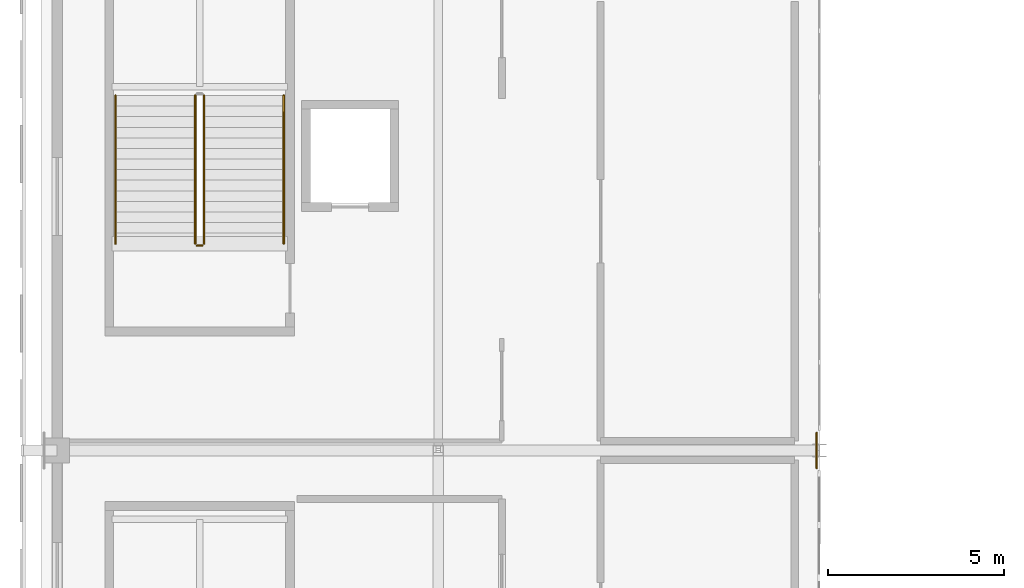
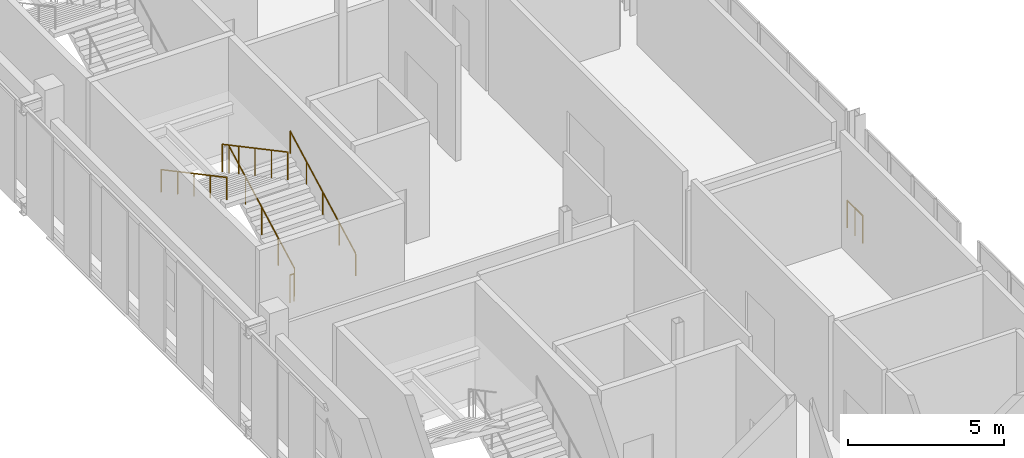
# One storey, part 44 of 51: 7 railings.
"""IFC4 building model written with IfcOpenShell, lengths in metres."""

from ifc_helpers import new_model, si_unit, direction, frame, origin, origin_2d, place, context, subcontext, project, spatial, circle, extrude, material, type_object, element, save


model = new_model("IFC4")

# Units and contexts
model_context = context("Model", 3, precision=1e-05, world=origin(), true_north=direction((0.0, 1.0)))
body_context = subcontext(model_context, "Body", "Model", "MODEL_VIEW")
ifc_project = project(units=[si_unit("LENGTHUNIT", "METRE"), si_unit("AREAUNIT", "SQUARE_METRE"), si_unit("VOLUMEUNIT", "CUBIC_METRE"), si_unit("PLANEANGLEUNIT", "RADIAN"), si_unit("MASSUNIT", "GRAM", prefix="KILO")], contexts=[model_context])

# Site, building, storey
site_placement = place(None, origin())
site = spatial("IfcSite", under=ifc_project, at=site_placement, CompositionType="ELEMENT")
building_placement = place(site_placement, origin())
building = spatial("IfcBuilding", under=site, at=building_placement, Name="Koshinbarg Plaza Stadium", CompositionType="ELEMENT")
storey_placement = place(building_placement, frame((0.0, 0.0, 24.60009765625)))
storey = spatial("IfcBuildingStorey", under=building, at=storey_placement, Name="L05", CompositionType="ELEMENT", Elevation=24.60009765625)

# Railings
ifc_material_1 = material(Name="Toughened laminated glass and stainless steel sightline balustrade", Category="steel")
railing_type_1 = type_object("IfcRailingType", Name="RL-BOWL-1100", PredefinedType="BALUSTRADE", material=ifc_material_1)
railing_1_placement = place(storey_placement, frame((46.1201171875, 54.300048828125, 0.0)))
element("IfcRailing", 1, at=railing_1_placement, inside=storey, type_object=railing_type_1, Name="L05 deck edge safety balustrade 0350", PredefinedType="BALUSTRADE", context=body_context, shape_type="SweptSolid", body=[
    extrude(circle(Radius=0.02392578125, at=origin_2d()), frame((0.0, 0.0, 1.076171875), z_axis=(0.0, -1.0, 0.0), x_axis=(1.0, 0.0, 0.0)), (0.0, 0.0, 1.0), 0.49853515625),
    extrude(circle(Radius=0.02099609375, at=origin_2d()), origin(), (0.0, 0.0, 1.0), 1.052001953125),
    extrude(circle(Radius=0.02099609375, at=origin_2d()), frame((0.0, -0.49853515625, 0.0)), (0.0, 0.0, 1.0), 1.052001953125),
])
railing_2_placement = place(storey_placement, frame((46.1201171875, 54.800048828125, 0.0)))
element("IfcRailing", 2, at=railing_2_placement, inside=storey, type_object=railing_type_1, Name="L05 deck edge safety balustrade 0359", PredefinedType="BALUSTRADE", context=body_context, shape_type="SweptSolid", body=[
    extrude(circle(Radius=0.02392578125, at=origin_2d()), frame((0.0, 0.0, 1.076171875), z_axis=(0.0, -1.0, 0.0), x_axis=(1.0, 0.0, 0.0)), (0.0, 0.0, 1.0), 0.5),
    extrude(circle(Radius=0.02099609375, at=origin_2d()), origin(), (0.0, 0.0, 1.0), 1.052001953125),
    extrude(circle(Radius=0.02099609375, at=origin_2d()), frame((0.0, -0.5, 0.0)), (0.0, 0.0, 1.0), 1.052001953125),
])
ifc_material_2 = material(Name="Galvanized painted steel guardrail", Category="steel")
railing_type_2 = type_object("IfcRailingType", Name="RL-GUARD-1100", PredefinedType="GUARDRAIL", material=ifc_material_2)
railing_3_placement = place(storey_placement, frame((28.760009765625, 60.159912109375, 0.159912109375)))
element("IfcRailing", 3, at=railing_3_placement, inside=storey, type_object=railing_type_2, Name="L05 C03 stair guard 1", PredefinedType="GUARDRAIL", context=body_context, shape_type="SweptSolid", body=[
    extrude(circle(Radius=0.02392578125, at=origin_2d()), frame((0.0, 0.0, 1.076171875), z_axis=(0.0, 0.882362879185, 0.470569601054), x_axis=(-1.0, 0.0, 0.0)), (0.0, 0.0, 1.0), 4.76025390625),
    extrude(circle(Radius=0.02099609375, at=origin_2d()), origin(), (0.0, 0.0, 1.0), 1.052001953125),
    extrude(circle(Radius=0.02099609375, at=origin_2d()), frame((0.0, 1.050048828125, 0.56005859375)), (0.0, 0.0, 1.0), 1.052001953125),
    extrude(circle(Radius=0.02099609375, at=origin_2d()), frame((0.0, 2.10009765625, 1.1201171875)), (0.0, 0.0, 1.0), 1.052001953125),
    extrude(circle(Radius=0.02099609375, at=origin_2d()), frame((0.0, 3.150146484375, 1.679931640625)), (0.0, 0.0, 1.0), 1.052001953125),
    extrude(circle(Radius=0.02099609375, at=origin_2d()), frame((0.0, 4.2001953125, 2.239990234375)), (0.0, 0.0, 1.0), 1.052001953125),
])
railing_4_placement = place(storey_placement, frame((28.510009765625, 64.360107421875, 2.559814453125)))
element("IfcRailing", 4, at=railing_4_placement, inside=storey, type_object=railing_type_2, Name="L05 C03 stair guard 3", PredefinedType="GUARDRAIL", context=body_context, shape_type="SweptSolid", body=[
    extrude(circle(Radius=0.02392578125, at=origin_2d()), frame((0.0, 0.0, 1.076171875), z_axis=(0.0, -0.882362879185, 0.470569601054), x_axis=(1.0, 0.0, 0.0)), (0.0, 0.0, 1.0), 4.76025390625),
    extrude(circle(Radius=0.02099609375, at=origin_2d()), origin(), (0.0, 0.0, 1.0), 1.052001953125),
    extrude(circle(Radius=0.02099609375, at=origin_2d()), frame((0.0, -1.050048828125, 0.56005859375)), (0.0, 0.0, 1.0), 1.052001953125),
    extrude(circle(Radius=0.02099609375, at=origin_2d()), frame((0.0, -2.10009765625, 1.1201171875)), (0.0, 0.0, 1.0), 1.052001953125),
    extrude(circle(Radius=0.02099609375, at=origin_2d()), frame((0.0, -3.150146484375, 1.679931640625)), (0.0, 0.0, 1.0), 1.052001953125),
    extrude(circle(Radius=0.02099609375, at=origin_2d()), frame((0.0, -4.2001953125, 2.239990234375)), (0.0, 0.0, 1.0), 1.052001953125),
])
railing_5_placement = place(storey_placement, frame((28.7099609375, 60.110107421875, 0.0)))
element("IfcRailing", 5, at=railing_5_placement, inside=storey, type_object=railing_type_2, Name="L05 C03 stair guard 4", PredefinedType="GUARDRAIL", context=body_context, shape_type="SweptSolid", body=[
    extrude(circle(Radius=0.02392578125, at=origin_2d()), frame((0.0, 0.0, 1.076171875), z_axis=(-1.0, 0.0, 0.0), x_axis=(0.0, -1.0, 0.0)), (0.0, 0.0, 1.0), 0.14990234375),
    extrude(circle(Radius=0.02099609375, at=origin_2d()), origin(), (0.0, 0.0, 1.0), 1.052001953125),
    extrude(circle(Radius=0.02099609375, at=origin_2d()), frame((-0.14990234375, 0.0, 0.0)), (0.0, 0.0, 1.0), 1.052001953125),
])
ifc_material_3 = material(Name="Brushed stainless steel handrail", Category="steel")
railing_type_3 = type_object("IfcRailingType", Name="RL-HAND-900", PredefinedType="HANDRAIL", material=ifc_material_3)
railing_6_placement = place(storey_placement, frame((31.02001953125, 60.159912109375, 0.159912109375)))
element("IfcRailing", 6, at=railing_6_placement, inside=storey, type_object=railing_type_3, Name="L05 C03 stair handrail 1", PredefinedType="HANDRAIL", context=body_context, shape_type="SweptSolid", body=[
    extrude(circle(Radius=0.02392578125, at=origin_2d()), frame((0.0, 0.0, 0.8759765625), z_axis=(0.0, 0.882362879185, 0.470569601054), x_axis=(-1.0, 0.0, 0.0)), (0.0, 0.0, 1.0), 4.76025390625),
    extrude(circle(Radius=0.02099609375, at=origin_2d()), origin(), (0.0, 0.0, 1.0), 0.851806640625),
    extrude(circle(Radius=0.02099609375, at=origin_2d()), frame((0.0, 1.050048828125, 0.56005859375)), (0.0, 0.0, 1.0), 0.851806640625),
    extrude(circle(Radius=0.02099609375, at=origin_2d()), frame((0.0, 2.10009765625, 1.1201171875)), (0.0, 0.0, 1.0), 0.851806640625),
    extrude(circle(Radius=0.02099609375, at=origin_2d()), frame((0.0, 3.150146484375, 1.679931640625)), (0.0, 0.0, 1.0), 0.851806640625),
    extrude(circle(Radius=0.02099609375, at=origin_2d()), frame((0.0, 4.2001953125, 2.239990234375)), (0.0, 0.0, 1.0), 0.851806640625),
])
railing_7_placement = place(storey_placement, frame((26.25, 64.360107421875, 2.559814453125)))
element("IfcRailing", 7, at=railing_7_placement, inside=storey, type_object=railing_type_3, Name="L05 C03 stair handrail 2", PredefinedType="HANDRAIL", context=body_context, shape_type="SweptSolid", body=[
    extrude(circle(Radius=0.02392578125, at=origin_2d()), frame((0.0, 0.0, 0.8759765625), z_axis=(0.0, -0.882362879185, 0.470569601054), x_axis=(1.0, 0.0, 0.0)), (0.0, 0.0, 1.0), 4.76025390625),
    extrude(circle(Radius=0.02099609375, at=origin_2d()), origin(), (0.0, 0.0, 1.0), 0.851806640625),
    extrude(circle(Radius=0.02099609375, at=origin_2d()), frame((0.0, -1.050048828125, 0.56005859375)), (0.0, 0.0, 1.0), 0.851806640625),
    extrude(circle(Radius=0.02099609375, at=origin_2d()), frame((0.0, -2.10009765625, 1.1201171875)), (0.0, 0.0, 1.0), 0.851806640625),
    extrude(circle(Radius=0.02099609375, at=origin_2d()), frame((0.0, -3.150146484375, 1.679931640625)), (0.0, 0.0, 1.0), 0.851806640625),
    extrude(circle(Radius=0.02099609375, at=origin_2d()), frame((0.0, -4.2001953125, 2.239990234375)), (0.0, 0.0, 1.0), 0.851806640625),
])

save(model, "model.ifc")
